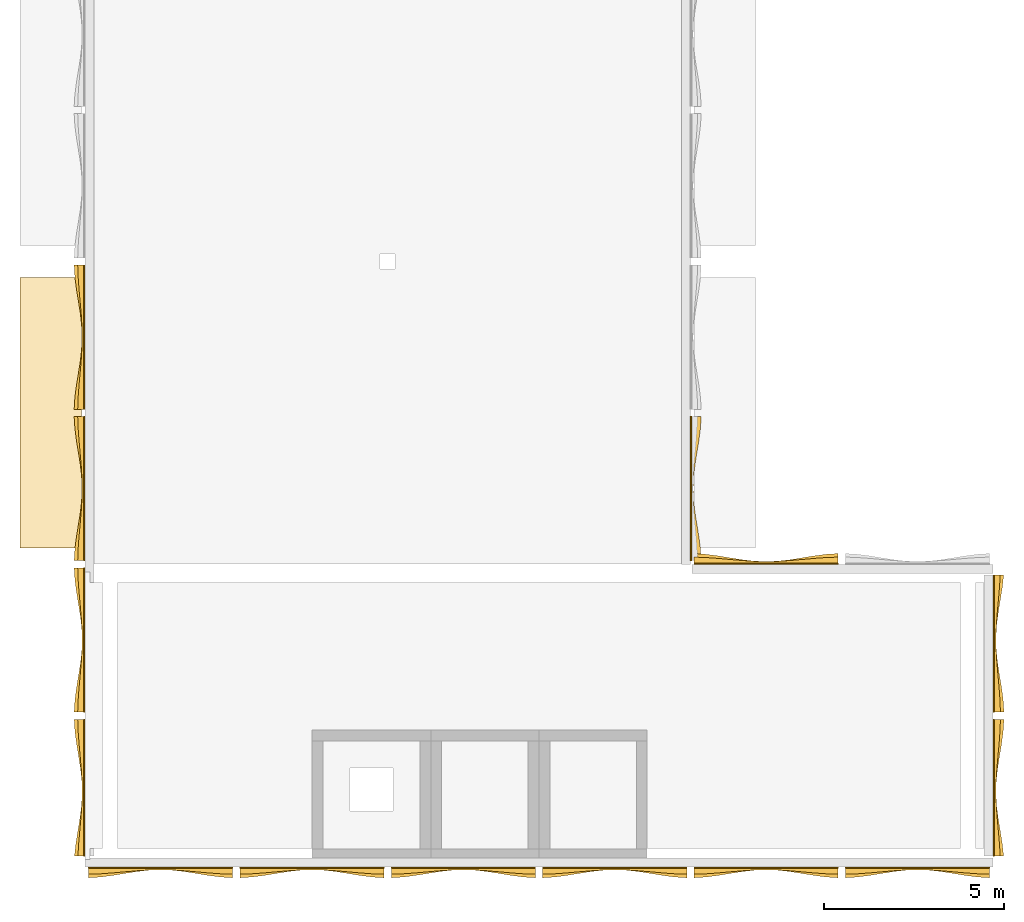
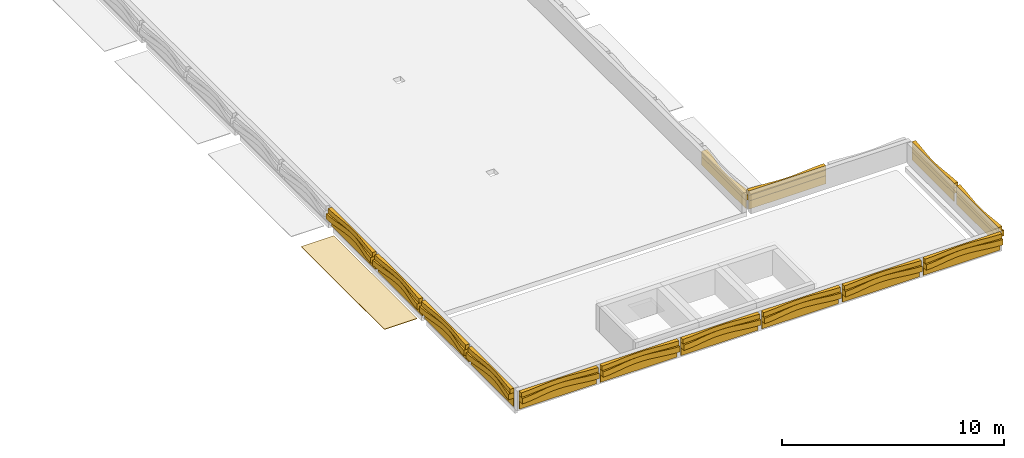
# One storey, part 2 of 4: 42 coverings.
"""IFC4 building model written with IfcOpenShell, lengths in metres."""

from ifc_helpers import new_model, si_unit, direction, frame, origin, origin_2d, place, context, subcontext, project, spatial, polyline, rectangle, outline, extrude, material, layer, layer_set, type_object, element, save


model = new_model("IFC4")

# Units and contexts
model_context = context("Model", 3, precision=1e-05, world=origin(), true_north=direction((0.0, 1.0)))
body_context = subcontext(model_context, "Body", "Model", "MODEL_VIEW")
ifc_project = project(units=[si_unit("LENGTHUNIT", "METRE"), si_unit("AREAUNIT", "SQUARE_METRE"), si_unit("VOLUMEUNIT", "CUBIC_METRE"), si_unit("PLANEANGLEUNIT", "RADIAN"), si_unit("MASSUNIT", "GRAM", prefix="KILO")], contexts=[model_context])

# Site, building, storey
site_placement = place(None, origin())
site = spatial("IfcSite", under=ifc_project, at=site_placement, CompositionType="ELEMENT")
building_placement = place(site_placement, origin())
building = spatial("IfcBuilding", under=site, at=building_placement, Name="Catenary Quay Ferry Terminal", CompositionType="ELEMENT")
storey_placement = place(building_placement, frame((0.0, 0.0, 24.10009765625)))
storey = spatial("IfcBuildingStorey", under=building, at=storey_placement, Name="ROOF", CompositionType="ELEMENT", Elevation=24.10009765625)

# Coverings
ifc_material_1 = material(Name="Facing brick", Category="masonry")
ifc_layer_1 = layer(ifc_material_1, 0.10009765625)
ifc_layer_set_1 = layer_set([ifc_layer_1], Name="CN1")
covering_type_1 = type_object("IfcCoveringType", Name="CN1", PredefinedType="CLADDING", material=ifc_layer_set_1)
covering_1_placement = place(storey_placement, frame((0.0, 0.0, 0.5498046875)))
element("IfcCovering", 1, at=covering_1_placement, inside=storey, type_object=covering_type_1, Name="Undulating corbelled cornice", PredefinedType="CLADDING", context=body_context, shape_type="SweptSolid", body=[
    extrude(outline(polyline([(25.300048828125, 159.60009765625), (25.300048828125, 159.30126953125), (25.63330078125, 159.32275390625), (25.966796875, 159.3662109375), (26.300048828125, 159.4208984375), (26.63330078125, 159.473388671875), (26.966796875, 159.51123046875), (27.300048828125, 159.52490234375), (27.63330078125, 159.51123046875), (27.966796875, 159.473388671875), (28.300048828125, 159.4208984375), (28.63330078125, 159.3662109375), (28.966796875, 159.32275390625), (29.300048828125, 159.30126953125), (29.300048828125, 159.60009765625), (25.300048828125, 159.60009765625)])), origin(), (0.0, 0.0, 1.0), 0.300048828125),
])
covering_2_placement = place(storey_placement, frame((0.0, 0.0, 0.849853515625)))
element("IfcCovering", 2, at=covering_2_placement, inside=storey, type_object=covering_type_1, Name="Undulating corbelled cornice", PredefinedType="CLADDING", context=body_context, shape_type="SweptSolid", body=[
    extrude(outline(polyline([(25.300048828125, 159.60009765625), (25.300048828125, 159.400634765625), (25.63330078125, 159.41259765625), (25.966796875, 159.436767578125), (26.300048828125, 159.46728515625), (26.63330078125, 159.496337890625), (26.966796875, 159.517333984375), (27.300048828125, 159.52490234375), (27.63330078125, 159.517333984375), (27.966796875, 159.496337890625), (28.300048828125, 159.46728515625), (28.63330078125, 159.436767578125), (28.966796875, 159.41259765625), (29.300048828125, 159.400634765625), (29.300048828125, 159.60009765625), (25.300048828125, 159.60009765625)])), origin(), (0.0, 0.0, 1.0), 0.25),
])
covering_3_placement = place(storey_placement, frame((0.0, 0.0, 0.5498046875)))
element("IfcCovering", 3, at=covering_3_placement, inside=storey, type_object=covering_type_1, Name="Undulating corbelled cornice", PredefinedType="CLADDING", context=body_context, shape_type="SweptSolid", body=[
    extrude(outline(polyline([(29.5, 159.60009765625), (29.5, 159.30126953125), (29.833251953125, 159.32275390625), (30.166748046875, 159.3662109375), (30.5, 159.4208984375), (30.833251953125, 159.473388671875), (31.166748046875, 159.51123046875), (31.5, 159.52490234375), (31.833251953125, 159.51123046875), (32.166748046875, 159.473388671875), (32.5, 159.4208984375), (32.833251953125, 159.3662109375), (33.166748046875, 159.32275390625), (33.5, 159.30126953125), (33.5, 159.60009765625), (29.5, 159.60009765625)])), origin(), (0.0, 0.0, 1.0), 0.300048828125),
])
covering_4_placement = place(storey_placement, frame((0.0, 0.0, 0.849853515625)))
element("IfcCovering", 4, at=covering_4_placement, inside=storey, type_object=covering_type_1, Name="Undulating corbelled cornice", PredefinedType="CLADDING", context=body_context, shape_type="SweptSolid", body=[
    extrude(outline(polyline([(29.5, 159.60009765625), (29.5, 159.400634765625), (29.833251953125, 159.41259765625), (30.166748046875, 159.436767578125), (30.5, 159.46728515625), (30.833251953125, 159.496337890625), (31.166748046875, 159.517333984375), (31.5, 159.52490234375), (31.833251953125, 159.517333984375), (32.166748046875, 159.496337890625), (32.5, 159.46728515625), (32.833251953125, 159.436767578125), (33.166748046875, 159.41259765625), (33.5, 159.400634765625), (33.5, 159.60009765625), (29.5, 159.60009765625)])), origin(), (0.0, 0.0, 1.0), 0.25),
])
covering_5_placement = place(storey_placement, frame((0.0, 0.0, 0.5498046875)))
element("IfcCovering", 5, at=covering_5_placement, inside=storey, type_object=covering_type_1, Name="Undulating corbelled cornice", PredefinedType="CLADDING", context=body_context, shape_type="SweptSolid", body=[
    extrude(outline(polyline([(33.699951171875, 159.60009765625), (33.699951171875, 159.30126953125), (34.033203125, 159.32275390625), (34.36669921875, 159.3662109375), (34.699951171875, 159.4208984375), (35.033203125, 159.473388671875), (35.36669921875, 159.51123046875), (35.699951171875, 159.52490234375), (36.033203125, 159.51123046875), (36.36669921875, 159.473388671875), (36.699951171875, 159.4208984375), (37.033203125, 159.3662109375), (37.36669921875, 159.32275390625), (37.699951171875, 159.30126953125), (37.699951171875, 159.60009765625), (33.699951171875, 159.60009765625)])), origin(), (0.0, 0.0, 1.0), 0.300048828125),
])
covering_6_placement = place(storey_placement, frame((0.0, 0.0, 0.849853515625)))
element("IfcCovering", 6, at=covering_6_placement, inside=storey, type_object=covering_type_1, Name="Undulating corbelled cornice", PredefinedType="CLADDING", context=body_context, shape_type="SweptSolid", body=[
    extrude(outline(polyline([(33.699951171875, 159.60009765625), (33.699951171875, 159.400634765625), (34.033203125, 159.41259765625), (34.36669921875, 159.436767578125), (34.699951171875, 159.46728515625), (35.033203125, 159.496337890625), (35.36669921875, 159.517333984375), (35.699951171875, 159.52490234375), (36.033203125, 159.517333984375), (36.36669921875, 159.496337890625), (36.699951171875, 159.46728515625), (37.033203125, 159.436767578125), (37.36669921875, 159.41259765625), (37.699951171875, 159.400634765625), (37.699951171875, 159.60009765625), (33.699951171875, 159.60009765625)])), origin(), (0.0, 0.0, 1.0), 0.25),
])
covering_7_placement = place(storey_placement, frame((0.0, 0.0, 0.5498046875)))
element("IfcCovering", 7, at=covering_7_placement, inside=storey, type_object=covering_type_1, Name="Undulating corbelled cornice", PredefinedType="CLADDING", context=body_context, shape_type="SweptSolid", body=[
    extrude(outline(polyline([(37.89990234375, 159.60009765625), (37.89990234375, 159.30126953125), (38.2333984375, 159.32275390625), (38.566650390625, 159.3662109375), (38.89990234375, 159.4208984375), (39.2333984375, 159.473388671875), (39.566650390625, 159.51123046875), (39.89990234375, 159.52490234375), (40.2333984375, 159.51123046875), (40.566650390625, 159.473388671875), (40.89990234375, 159.4208984375), (41.2333984375, 159.3662109375), (41.566650390625, 159.32275390625), (41.89990234375, 159.30126953125), (41.89990234375, 159.60009765625), (37.89990234375, 159.60009765625)])), origin(), (0.0, 0.0, 1.0), 0.300048828125),
])
covering_8_placement = place(storey_placement, frame((0.0, 0.0, 0.849853515625)))
element("IfcCovering", 8, at=covering_8_placement, inside=storey, type_object=covering_type_1, Name="Undulating corbelled cornice", PredefinedType="CLADDING", context=body_context, shape_type="SweptSolid", body=[
    extrude(outline(polyline([(37.89990234375, 159.60009765625), (37.89990234375, 159.400634765625), (38.2333984375, 159.41259765625), (38.566650390625, 159.436767578125), (38.89990234375, 159.46728515625), (39.2333984375, 159.496337890625), (39.566650390625, 159.517333984375), (39.89990234375, 159.52490234375), (40.2333984375, 159.517333984375), (40.566650390625, 159.496337890625), (40.89990234375, 159.46728515625), (41.2333984375, 159.436767578125), (41.566650390625, 159.41259765625), (41.89990234375, 159.400634765625), (41.89990234375, 159.60009765625), (37.89990234375, 159.60009765625)])), origin(), (0.0, 0.0, 1.0), 0.25),
])
covering_9_placement = place(storey_placement, frame((0.0, 0.0, 0.5498046875)))
element("IfcCovering", 9, at=covering_9_placement, inside=storey, type_object=covering_type_1, Name="Undulating corbelled cornice", PredefinedType="CLADDING", context=body_context, shape_type="SweptSolid", body=[
    extrude(outline(polyline([(42.10009765625, 159.60009765625), (42.10009765625, 159.30126953125), (42.433349609375, 159.32275390625), (42.7666015625, 159.3662109375), (43.10009765625, 159.4208984375), (43.433349609375, 159.473388671875), (43.7666015625, 159.51123046875), (44.10009765625, 159.52490234375), (44.433349609375, 159.51123046875), (44.7666015625, 159.473388671875), (45.10009765625, 159.4208984375), (45.433349609375, 159.3662109375), (45.7666015625, 159.32275390625), (46.10009765625, 159.30126953125), (46.10009765625, 159.60009765625), (42.10009765625, 159.60009765625)])), origin(), (0.0, 0.0, 1.0), 0.300048828125),
])
covering_10_placement = place(storey_placement, frame((0.0, 0.0, 0.849853515625)))
element("IfcCovering", 10, at=covering_10_placement, inside=storey, type_object=covering_type_1, Name="Undulating corbelled cornice", PredefinedType="CLADDING", context=body_context, shape_type="SweptSolid", body=[
    extrude(outline(polyline([(42.10009765625, 159.60009765625), (42.10009765625, 159.400634765625), (42.433349609375, 159.41259765625), (42.7666015625, 159.436767578125), (43.10009765625, 159.46728515625), (43.433349609375, 159.496337890625), (43.7666015625, 159.517333984375), (44.10009765625, 159.52490234375), (44.433349609375, 159.517333984375), (44.7666015625, 159.496337890625), (45.10009765625, 159.46728515625), (45.433349609375, 159.436767578125), (45.7666015625, 159.41259765625), (46.10009765625, 159.400634765625), (46.10009765625, 159.60009765625), (42.10009765625, 159.60009765625)])), origin(), (0.0, 0.0, 1.0), 0.25),
])
covering_11_placement = place(storey_placement, frame((0.0, 0.0, 0.5498046875)))
element("IfcCovering", 11, at=covering_11_placement, inside=storey, type_object=covering_type_1, Name="Undulating corbelled cornice", PredefinedType="CLADDING", context=body_context, shape_type="SweptSolid", body=[
    extrude(outline(polyline([(46.300048828125, 159.60009765625), (46.300048828125, 159.30126953125), (46.63330078125, 159.32275390625), (46.966796875, 159.3662109375), (47.300048828125, 159.4208984375), (47.63330078125, 159.473388671875), (47.966796875, 159.51123046875), (48.300048828125, 159.52490234375), (48.63330078125, 159.51123046875), (48.966796875, 159.473388671875), (49.300048828125, 159.4208984375), (49.63330078125, 159.3662109375), (49.966796875, 159.32275390625), (50.300048828125, 159.30126953125), (50.300048828125, 159.60009765625), (46.300048828125, 159.60009765625)])), origin(), (0.0, 0.0, 1.0), 0.300048828125),
])
covering_12_placement = place(storey_placement, frame((0.0, 0.0, 0.849853515625)))
element("IfcCovering", 12, at=covering_12_placement, inside=storey, type_object=covering_type_1, Name="Undulating corbelled cornice", PredefinedType="CLADDING", context=body_context, shape_type="SweptSolid", body=[
    extrude(outline(polyline([(46.300048828125, 159.60009765625), (46.300048828125, 159.400634765625), (46.63330078125, 159.41259765625), (46.966796875, 159.436767578125), (47.300048828125, 159.46728515625), (47.63330078125, 159.496337890625), (47.966796875, 159.517333984375), (48.300048828125, 159.52490234375), (48.63330078125, 159.517333984375), (48.966796875, 159.496337890625), (49.300048828125, 159.46728515625), (49.63330078125, 159.436767578125), (49.966796875, 159.41259765625), (50.300048828125, 159.400634765625), (50.300048828125, 159.60009765625), (46.300048828125, 159.60009765625)])), origin(), (0.0, 0.0, 1.0), 0.25),
])
covering_13_placement = place(storey_placement, frame((0.0, 0.0, 0.5498046875)))
element("IfcCovering", 13, at=covering_13_placement, inside=storey, type_object=covering_type_1, Name="Undulating corbelled cornice", PredefinedType="CLADDING", context=body_context, shape_type="SweptSolid", body=[
    extrude(outline(polyline([(25.199951171875, 159.89990234375), (24.9111328125, 159.89990234375), (24.948486328125, 160.24560546875), (25.002685546875, 160.5908203125), (25.05908203125, 160.936279296875), (25.103759765625, 161.28173828125), (25.124267578125, 161.627197265625), (25.11572265625, 161.97265625), (25.080078125, 162.318115234375), (25.027099609375, 162.66357421875), (24.969970703125, 163.009033203125), (24.924072265625, 163.3544921875), (24.9013671875, 163.699951171875), (25.199951171875, 163.699951171875), (25.199951171875, 159.89990234375)])), origin(), (0.0, 0.0, 1.0), 0.300048828125),
])
covering_14_placement = place(storey_placement, frame((0.0, 0.0, 0.849853515625)))
element("IfcCovering", 14, at=covering_14_placement, inside=storey, type_object=covering_type_1, Name="Undulating corbelled cornice", PredefinedType="CLADDING", context=body_context, shape_type="SweptSolid", body=[
    extrude(outline(polyline([(25.199951171875, 159.89990234375), (25.006103515625, 159.89990234375), (25.02685546875, 160.24560546875), (25.056884765625, 160.5908203125), (25.08837890625, 160.936279296875), (25.11328125, 161.28173828125), (25.12451171875, 161.627197265625), (25.119873046875, 161.97265625), (25.10009765625, 162.318115234375), (25.070556640625, 162.66357421875), (25.038818359375, 163.009033203125), (25.013427734375, 163.3544921875), (25.000732421875, 163.699951171875), (25.199951171875, 163.699951171875), (25.199951171875, 159.89990234375)])), origin(), (0.0, 0.0, 1.0), 0.25),
])
covering_15_placement = place(storey_placement, frame((0.0, 0.0, 0.5498046875)))
element("IfcCovering", 15, at=covering_15_placement, inside=storey, type_object=covering_type_1, Name="Undulating corbelled cornice", PredefinedType="CLADDING", context=body_context, shape_type="SweptSolid", body=[
    extrude(outline(polyline([(25.199951171875, 163.89990234375), (24.9013671875, 163.89990234375), (24.9228515625, 164.2333984375), (24.96630859375, 164.566650390625), (25.02099609375, 164.89990234375), (25.073486328125, 165.2333984375), (25.111328125, 165.566650390625), (25.125, 165.89990234375), (25.111328125, 166.2333984375), (25.073486328125, 166.566650390625), (25.02099609375, 166.89990234375), (24.96630859375, 167.2333984375), (24.9228515625, 167.566650390625), (24.9013671875, 167.89990234375), (25.199951171875, 167.89990234375), (25.199951171875, 163.89990234375)])), origin(), (0.0, 0.0, 1.0), 0.300048828125),
])
covering_16_placement = place(storey_placement, frame((0.0, 0.0, 0.849853515625)))
element("IfcCovering", 16, at=covering_16_placement, inside=storey, type_object=covering_type_1, Name="Undulating corbelled cornice", PredefinedType="CLADDING", context=body_context, shape_type="SweptSolid", body=[
    extrude(outline(polyline([(25.199951171875, 163.89990234375), (25.000732421875, 163.89990234375), (25.0126953125, 164.2333984375), (25.036865234375, 164.566650390625), (25.067138671875, 164.89990234375), (25.096435546875, 165.2333984375), (25.117431640625, 165.566650390625), (25.125, 165.89990234375), (25.117431640625, 166.2333984375), (25.096435546875, 166.566650390625), (25.067138671875, 166.89990234375), (25.036865234375, 167.2333984375), (25.0126953125, 167.566650390625), (25.000732421875, 167.89990234375), (25.199951171875, 167.89990234375), (25.199951171875, 163.89990234375)])), origin(), (0.0, 0.0, 1.0), 0.25),
])
covering_17_placement = place(storey_placement, frame((0.0, 0.0, 0.5498046875)))
element("IfcCovering", 17, at=covering_17_placement, inside=storey, type_object=covering_type_1, Name="Undulating corbelled cornice", PredefinedType="CLADDING", context=body_context, shape_type="SweptSolid", body=[
    extrude(outline(polyline([(25.199951171875, 168.10009765625), (24.9013671875, 168.10009765625), (24.9228515625, 168.433349609375), (24.96630859375, 168.7666015625), (25.02099609375, 169.10009765625), (25.073486328125, 169.433349609375), (25.111328125, 169.7666015625), (25.125, 170.10009765625), (25.111328125, 170.433349609375), (25.073486328125, 170.7666015625), (25.02099609375, 171.10009765625), (24.96630859375, 171.433349609375), (24.9228515625, 171.7666015625), (24.9013671875, 172.10009765625), (25.199951171875, 172.10009765625), (25.199951171875, 168.10009765625)])), origin(), (0.0, 0.0, 1.0), 0.300048828125),
])
covering_18_placement = place(storey_placement, frame((0.0, 0.0, 0.849853515625)))
element("IfcCovering", 18, at=covering_18_placement, inside=storey, type_object=covering_type_1, Name="Undulating corbelled cornice", PredefinedType="CLADDING", context=body_context, shape_type="SweptSolid", body=[
    extrude(outline(polyline([(25.199951171875, 168.10009765625), (25.000732421875, 168.10009765625), (25.0126953125, 168.433349609375), (25.036865234375, 168.7666015625), (25.067138671875, 169.10009765625), (25.096435546875, 169.433349609375), (25.117431640625, 169.7666015625), (25.125, 170.10009765625), (25.117431640625, 170.433349609375), (25.096435546875, 170.7666015625), (25.067138671875, 171.10009765625), (25.036865234375, 171.433349609375), (25.0126953125, 171.7666015625), (25.000732421875, 172.10009765625), (25.199951171875, 172.10009765625), (25.199951171875, 168.10009765625)])), origin(), (0.0, 0.0, 1.0), 0.25),
])
covering_19_placement = place(storey_placement, frame((0.0, 0.0, 0.5498046875)))
element("IfcCovering", 19, at=covering_19_placement, inside=storey, type_object=covering_type_1, Name="Undulating corbelled cornice", PredefinedType="CLADDING", context=body_context, shape_type="SweptSolid", body=[
    extrude(outline(polyline([(25.199951171875, 172.300048828125), (24.9013671875, 172.300048828125), (24.9228515625, 172.63330078125), (24.96630859375, 172.966796875), (25.02099609375, 173.300048828125), (25.073486328125, 173.63330078125), (25.111328125, 173.966796875), (25.125, 174.300048828125), (25.111328125, 174.63330078125), (25.073486328125, 174.966796875), (25.02099609375, 175.300048828125), (24.96630859375, 175.63330078125), (24.9228515625, 175.966796875), (24.9013671875, 176.300048828125), (25.199951171875, 176.300048828125), (25.199951171875, 172.300048828125)])), origin(), (0.0, 0.0, 1.0), 0.300048828125),
])
covering_20_placement = place(storey_placement, frame((0.0, 0.0, 0.849853515625)))
element("IfcCovering", 20, at=covering_20_placement, inside=storey, type_object=covering_type_1, Name="Undulating corbelled cornice", PredefinedType="CLADDING", context=body_context, shape_type="SweptSolid", body=[
    extrude(outline(polyline([(25.199951171875, 172.300048828125), (25.000732421875, 172.300048828125), (25.0126953125, 172.63330078125), (25.036865234375, 172.966796875), (25.067138671875, 173.300048828125), (25.096435546875, 173.63330078125), (25.117431640625, 173.966796875), (25.125, 174.300048828125), (25.117431640625, 174.63330078125), (25.096435546875, 174.966796875), (25.067138671875, 175.300048828125), (25.036865234375, 175.63330078125), (25.0126953125, 175.966796875), (25.000732421875, 176.300048828125), (25.199951171875, 176.300048828125), (25.199951171875, 172.300048828125)])), origin(), (0.0, 0.0, 1.0), 0.25),
])
covering_21_placement = place(storey_placement, frame((0.0, 0.0, 0.5498046875)))
element("IfcCovering", 21, at=covering_21_placement, inside=storey, type_object=covering_type_1, Name="Undulating corbelled cornice", PredefinedType="CLADDING", context=body_context, shape_type="SweptSolid", body=[
    extrude(outline(polyline([(42.0, 168.10009765625), (42.298583984375, 168.10009765625), (42.277099609375, 168.433349609375), (42.23388671875, 168.7666015625), (42.17919921875, 169.10009765625), (42.12646484375, 169.433349609375), (42.088623046875, 169.7666015625), (42.074951171875, 170.10009765625), (42.088623046875, 170.433349609375), (42.12646484375, 170.7666015625), (42.17919921875, 171.10009765625), (42.23388671875, 171.433349609375), (42.277099609375, 171.7666015625), (42.298583984375, 172.10009765625), (42.0, 172.10009765625), (42.0, 168.10009765625)])), origin(), (0.0, 0.0, 1.0), 0.300048828125),
])
covering_22_placement = place(storey_placement, frame((0.0, 0.0, 0.5498046875)))
element("IfcCovering", 22, at=covering_22_placement, inside=storey, type_object=covering_type_1, Name="Undulating corbelled cornice", PredefinedType="CLADDING", context=body_context, shape_type="SweptSolid", body=[
    extrude(outline(polyline([(42.10009765625, 168.0), (42.10009765625, 168.298583984375), (42.433349609375, 168.277099609375), (42.7666015625, 168.23388671875), (43.10009765625, 168.17919921875), (43.433349609375, 168.12646484375), (43.7666015625, 168.088623046875), (44.10009765625, 168.074951171875), (44.433349609375, 168.088623046875), (44.7666015625, 168.12646484375), (45.10009765625, 168.17919921875), (45.433349609375, 168.23388671875), (45.7666015625, 168.277099609375), (46.10009765625, 168.298583984375), (46.10009765625, 168.0), (42.10009765625, 168.0)])), origin(), (0.0, 0.0, 1.0), 0.300048828125),
])
covering_23_placement = place(storey_placement, frame((0.0, 0.0, 0.849853515625)))
element("IfcCovering", 23, at=covering_23_placement, inside=storey, type_object=covering_type_1, Name="Undulating corbelled cornice", PredefinedType="CLADDING", context=body_context, shape_type="SweptSolid", body=[
    extrude(outline(polyline([(42.10009765625, 168.0), (42.10009765625, 168.19921875), (42.433349609375, 168.187255859375), (42.7666015625, 168.1630859375), (43.10009765625, 168.1328125), (43.433349609375, 168.103515625), (43.7666015625, 168.08251953125), (44.10009765625, 168.074951171875), (44.433349609375, 168.08251953125), (44.7666015625, 168.103515625), (45.10009765625, 168.1328125), (45.433349609375, 168.1630859375), (45.7666015625, 168.187255859375), (46.10009765625, 168.19921875), (46.10009765625, 168.0), (42.10009765625, 168.0)])), origin(), (0.0, 0.0, 1.0), 0.25),
])
covering_24_placement = place(storey_placement, frame((0.0, 0.0, 0.5498046875)))
element("IfcCovering", 24, at=covering_24_placement, inside=storey, type_object=covering_type_1, Name="Undulating corbelled cornice", PredefinedType="CLADDING", context=body_context, shape_type="SweptSolid", body=[
    extrude(outline(polyline([(50.39990234375, 159.89990234375), (50.68896484375, 159.89990234375), (50.651611328125, 160.24560546875), (50.597412109375, 160.5908203125), (50.540771484375, 160.936279296875), (50.496337890625, 161.28173828125), (50.4755859375, 161.627197265625), (50.484130859375, 161.97265625), (50.519775390625, 162.318115234375), (50.572998046875, 162.66357421875), (50.6298828125, 163.009033203125), (50.67578125, 163.3544921875), (50.69873046875, 163.699951171875), (50.39990234375, 163.699951171875), (50.39990234375, 159.89990234375)])), origin(), (0.0, 0.0, 1.0), 0.300048828125),
])
covering_25_placement = place(storey_placement, frame((0.0, 0.0, 0.849853515625)))
element("IfcCovering", 25, at=covering_25_placement, inside=storey, type_object=covering_type_1, Name="Undulating corbelled cornice", PredefinedType="CLADDING", context=body_context, shape_type="SweptSolid", body=[
    extrude(outline(polyline([(50.39990234375, 159.89990234375), (50.59375, 159.89990234375), (50.572998046875, 160.24560546875), (50.54296875, 160.5908203125), (50.511474609375, 160.936279296875), (50.48681640625, 161.28173828125), (50.475341796875, 161.627197265625), (50.47998046875, 161.97265625), (50.5, 162.318115234375), (50.529296875, 162.66357421875), (50.56103515625, 163.009033203125), (50.586669921875, 163.3544921875), (50.599365234375, 163.699951171875), (50.39990234375, 163.699951171875), (50.39990234375, 159.89990234375)])), origin(), (0.0, 0.0, 1.0), 0.25),
])
covering_26_placement = place(storey_placement, frame((0.0, 0.0, 0.5498046875)))
element("IfcCovering", 26, at=covering_26_placement, inside=storey, type_object=covering_type_1, Name="Undulating corbelled cornice", PredefinedType="CLADDING", context=body_context, shape_type="SweptSolid", body=[
    extrude(outline(polyline([(50.39990234375, 163.89990234375), (50.69873046875, 163.89990234375), (50.67578125, 164.24560546875), (50.6298828125, 164.5908203125), (50.572998046875, 164.936279296875), (50.519775390625, 165.28173828125), (50.484130859375, 165.627197265625), (50.4755859375, 165.97265625), (50.496337890625, 166.318115234375), (50.540771484375, 166.66357421875), (50.597412109375, 167.009033203125), (50.651611328125, 167.3544921875), (50.68896484375, 167.699951171875), (50.39990234375, 167.699951171875), (50.39990234375, 163.89990234375)])), origin(), (0.0, 0.0, 1.0), 0.300048828125),
])
covering_27_placement = place(storey_placement, frame((0.0, 0.0, 0.849853515625)))
element("IfcCovering", 27, at=covering_27_placement, inside=storey, type_object=covering_type_1, Name="Undulating corbelled cornice", PredefinedType="CLADDING", context=body_context, shape_type="SweptSolid", body=[
    extrude(outline(polyline([(50.39990234375, 163.89990234375), (50.599365234375, 163.89990234375), (50.586669921875, 164.24560546875), (50.56103515625, 164.5908203125), (50.529296875, 164.936279296875), (50.5, 165.28173828125), (50.47998046875, 165.627197265625), (50.475341796875, 165.97265625), (50.48681640625, 166.318115234375), (50.511474609375, 166.66357421875), (50.54296875, 167.009033203125), (50.572998046875, 167.3544921875), (50.59375, 167.699951171875), (50.39990234375, 167.699951171875), (50.39990234375, 163.89990234375)])), origin(), (0.0, 0.0, 1.0), 0.25),
])
ifc_material_2 = material(Name="Ceramic tile")
ifc_layer_2 = layer(ifc_material_2, 0.030029296875)
ifc_layer_set_2 = layer_set([ifc_layer_2], Name="FR1")
covering_type_2 = type_object("IfcCoveringType", Name="FR1", PredefinedType="CLADDING", material=ifc_layer_set_2)
covering_28_placement = place(storey_placement, frame((0.0, 0.0, 0.099853515625)))
element("IfcCovering", 28, at=covering_28_placement, inside=storey, type_object=covering_type_2, Name="Glazed tile frieze", PredefinedType="CLADDING", context=body_context, shape_type="SweptSolid", body=[
    extrude(outline(polyline([(25.300048828125, 159.60009765625), (29.300048828125, 159.60009765625), (29.300048828125, 159.570068359375), (25.300048828125, 159.570068359375), (25.300048828125, 159.60009765625)])), origin(), (0.0, 0.0, 1.0), 0.449951171875),
])
covering_29_placement = place(storey_placement, frame((0.0, 0.0, 0.099853515625)))
element("IfcCovering", 29, at=covering_29_placement, inside=storey, type_object=covering_type_2, Name="Glazed tile frieze", PredefinedType="CLADDING", context=body_context, shape_type="SweptSolid", body=[
    extrude(outline(polyline([(29.5, 159.60009765625), (33.5, 159.60009765625), (33.5, 159.570068359375), (29.5, 159.570068359375), (29.5, 159.60009765625)])), origin(), (0.0, 0.0, 1.0), 0.449951171875),
])
covering_30_placement = place(storey_placement, frame((0.0, 0.0, 0.099853515625)))
element("IfcCovering", 30, at=covering_30_placement, inside=storey, type_object=covering_type_2, Name="Glazed tile frieze", PredefinedType="CLADDING", context=body_context, shape_type="SweptSolid", body=[
    extrude(outline(polyline([(33.699951171875, 159.60009765625), (37.699951171875, 159.60009765625), (37.699951171875, 159.570068359375), (33.699951171875, 159.570068359375), (33.699951171875, 159.60009765625)])), origin(), (0.0, 0.0, 1.0), 0.449951171875),
])
covering_31_placement = place(storey_placement, frame((0.0, 0.0, 0.099853515625)))
element("IfcCovering", 31, at=covering_31_placement, inside=storey, type_object=covering_type_2, Name="Glazed tile frieze", PredefinedType="CLADDING", context=body_context, shape_type="SweptSolid", body=[
    extrude(outline(polyline([(37.89990234375, 159.60009765625), (41.89990234375, 159.60009765625), (41.89990234375, 159.570068359375), (37.89990234375, 159.570068359375), (37.89990234375, 159.60009765625)])), origin(), (0.0, 0.0, 1.0), 0.449951171875),
])
covering_32_placement = place(storey_placement, frame((0.0, 0.0, 0.099853515625)))
element("IfcCovering", 32, at=covering_32_placement, inside=storey, type_object=covering_type_2, Name="Glazed tile frieze", PredefinedType="CLADDING", context=body_context, shape_type="SweptSolid", body=[
    extrude(outline(polyline([(42.10009765625, 159.60009765625), (46.10009765625, 159.60009765625), (46.10009765625, 159.570068359375), (42.10009765625, 159.570068359375), (42.10009765625, 159.60009765625)])), origin(), (0.0, 0.0, 1.0), 0.449951171875),
])
covering_33_placement = place(storey_placement, frame((0.0, 0.0, 0.099853515625)))
element("IfcCovering", 33, at=covering_33_placement, inside=storey, type_object=covering_type_2, Name="Glazed tile frieze", PredefinedType="CLADDING", context=body_context, shape_type="SweptSolid", body=[
    extrude(outline(polyline([(46.300048828125, 159.60009765625), (50.300048828125, 159.60009765625), (50.300048828125, 159.570068359375), (46.300048828125, 159.570068359375), (46.300048828125, 159.60009765625)])), origin(), (0.0, 0.0, 1.0), 0.449951171875),
])
covering_34_placement = place(storey_placement, frame((0.0, 0.0, 0.099853515625)))
element("IfcCovering", 34, at=covering_34_placement, inside=storey, type_object=covering_type_2, Name="Glazed tile frieze", PredefinedType="CLADDING", context=body_context, shape_type="SweptSolid", body=[
    extrude(outline(polyline([(25.199951171875, 159.89990234375), (25.199951171875, 163.699951171875), (25.169921875, 163.699951171875), (25.169921875, 159.89990234375), (25.199951171875, 159.89990234375)])), origin(), (0.0, 0.0, 1.0), 0.449951171875),
])
covering_35_placement = place(storey_placement, frame((0.0, 0.0, 0.099853515625)))
element("IfcCovering", 35, at=covering_35_placement, inside=storey, type_object=covering_type_2, Name="Glazed tile frieze", PredefinedType="CLADDING", context=body_context, shape_type="SweptSolid", body=[
    extrude(outline(polyline([(25.199951171875, 163.89990234375), (25.199951171875, 167.89990234375), (25.169921875, 167.89990234375), (25.169921875, 163.89990234375), (25.199951171875, 163.89990234375)])), origin(), (0.0, 0.0, 1.0), 0.449951171875),
])
covering_36_placement = place(storey_placement, frame((0.0, 0.0, 0.099853515625)))
element("IfcCovering", 36, at=covering_36_placement, inside=storey, type_object=covering_type_2, Name="Glazed tile frieze", PredefinedType="CLADDING", context=body_context, shape_type="SweptSolid", body=[
    extrude(outline(polyline([(25.199951171875, 168.10009765625), (25.199951171875, 172.10009765625), (25.169921875, 172.10009765625), (25.169921875, 168.10009765625), (25.199951171875, 168.10009765625)])), origin(), (0.0, 0.0, 1.0), 0.449951171875),
])
covering_37_placement = place(storey_placement, frame((0.0, 0.0, 0.099853515625)))
element("IfcCovering", 37, at=covering_37_placement, inside=storey, type_object=covering_type_2, Name="Glazed tile frieze", PredefinedType="CLADDING", context=body_context, shape_type="SweptSolid", body=[
    extrude(outline(polyline([(25.199951171875, 172.300048828125), (25.199951171875, 176.300048828125), (25.169921875, 176.300048828125), (25.169921875, 172.300048828125), (25.199951171875, 172.300048828125)])), origin(), (0.0, 0.0, 1.0), 0.449951171875),
])
covering_38_placement = place(storey_placement, frame((0.0, 0.0, 0.099853515625)))
element("IfcCovering", 38, at=covering_38_placement, inside=storey, type_object=covering_type_2, Name="Glazed tile frieze", PredefinedType="CLADDING", context=body_context, shape_type="SweptSolid", body=[
    extrude(outline(polyline([(42.0, 168.10009765625), (42.0, 172.10009765625), (42.030029296875, 172.10009765625), (42.030029296875, 168.10009765625), (42.0, 168.10009765625)])), origin(), (0.0, 0.0, 1.0), 0.449951171875),
])
covering_39_placement = place(storey_placement, frame((0.0, 0.0, 0.099853515625)))
element("IfcCovering", 39, at=covering_39_placement, inside=storey, type_object=covering_type_2, Name="Glazed tile frieze", PredefinedType="CLADDING", context=body_context, shape_type="SweptSolid", body=[
    extrude(outline(polyline([(42.10009765625, 168.0), (46.10009765625, 168.0), (46.10009765625, 168.030029296875), (42.10009765625, 168.030029296875), (42.10009765625, 168.0)])), origin(), (0.0, 0.0, 1.0), 0.449951171875),
])
covering_40_placement = place(storey_placement, frame((0.0, 0.0, 0.099853515625)))
element("IfcCovering", 40, at=covering_40_placement, inside=storey, type_object=covering_type_2, Name="Glazed tile frieze", PredefinedType="CLADDING", context=body_context, shape_type="SweptSolid", body=[
    extrude(outline(polyline([(50.39990234375, 159.89990234375), (50.39990234375, 163.699951171875), (50.429931640625, 163.699951171875), (50.429931640625, 159.89990234375), (50.39990234375, 159.89990234375)])), origin(), (0.0, 0.0, 1.0), 0.449951171875),
])
covering_41_placement = place(storey_placement, frame((0.0, 0.0, 0.099853515625)))
element("IfcCovering", 41, at=covering_41_placement, inside=storey, type_object=covering_type_2, Name="Glazed tile frieze", PredefinedType="CLADDING", context=body_context, shape_type="SweptSolid", body=[
    extrude(outline(polyline([(50.39990234375, 163.89990234375), (50.39990234375, 167.699951171875), (50.429931640625, 167.699951171875), (50.429931640625, 163.89990234375), (50.39990234375, 163.89990234375)])), origin(), (0.0, 0.0, 1.0), 0.449951171875),
])
ifc_material_3 = material(Name="Laminated glass", Category="glass")
ifc_layer_3 = layer(ifc_material_3, 0.030029296875)
ifc_layer_set_3 = layer_set([ifc_layer_3], Name="RF2")
covering_type_3 = type_object("IfcCoveringType", Name="RF2", PredefinedType="ROOFING", material=ifc_layer_set_3)
covering_42_placement = place(storey_placement, frame((24.252197265625, 172.199951171875, -0.25), z_axis=(0.0, 0.0, 1.0), x_axis=(1.0, 0.0, 0.0)))
element("IfcCovering", 42, at=covering_42_placement, inside=storey, type_object=covering_type_3, Name="Eaves canopy, laminated glass", PredefinedType="ROOFING", context=body_context, shape_type="SweptSolid", body=[
    extrude(rectangle(XDim=1.70458984375, YDim=7.5, at=origin_2d()), origin(), (0.0, 0.0, 1.0), 0.030029296875),
])

save(model, "model.ifc")
